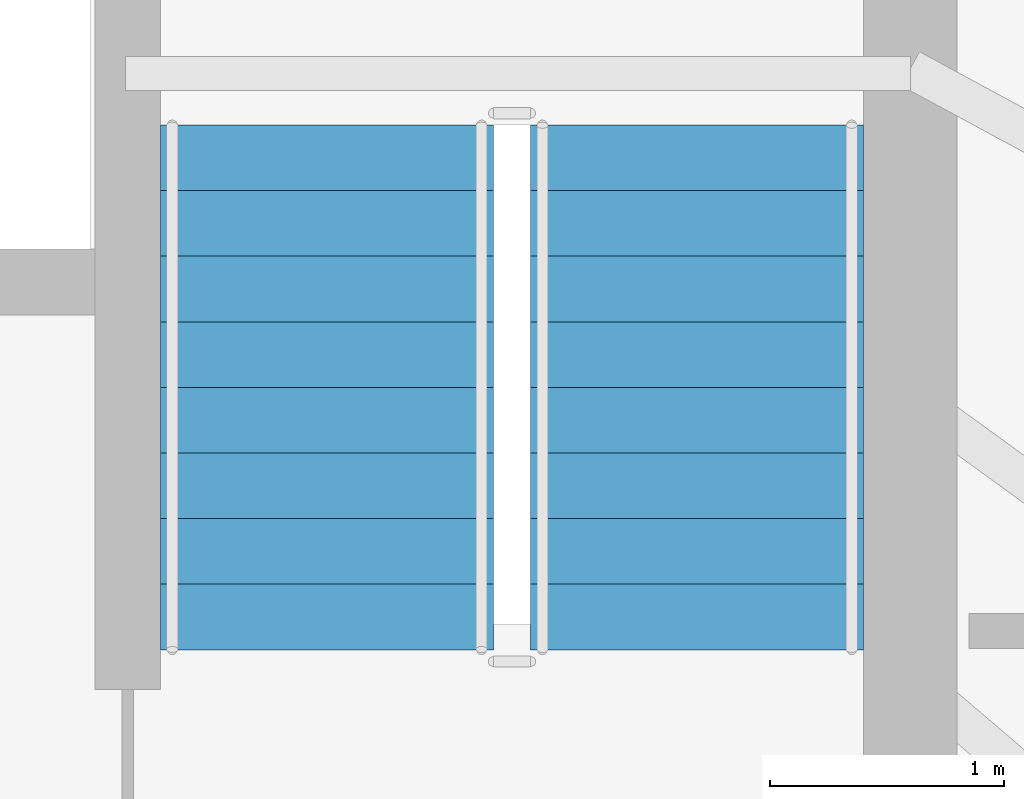
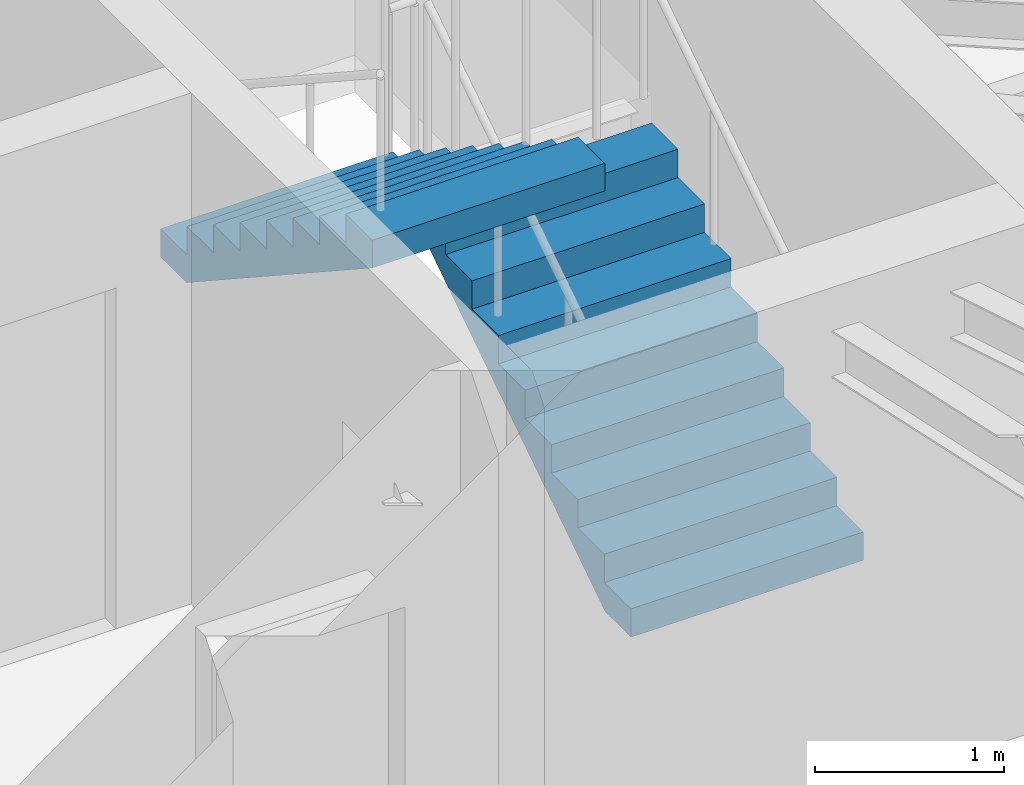
# One storey, part 28 of 31: 2 stair flights, 1 element without a shape of its own.
"""IFC4 building model written with IfcOpenShell, lengths in metres."""

from ifc_helpers import new_model, si_unit, direction, frame, origin, place, context, subcontext, project, spatial, polyline, outline, extrude, material, type_object, element, aggregate, save


model = new_model("IFC4")

# Units and contexts
model_context = context("Model", 3, precision=1e-05, world=origin(), true_north=direction((0.0, 1.0)))
body_context = subcontext(model_context, "Body", "Model", "MODEL_VIEW")
ifc_project = project(units=[si_unit("LENGTHUNIT", "METRE"), si_unit("AREAUNIT", "SQUARE_METRE"), si_unit("VOLUMEUNIT", "CUBIC_METRE"), si_unit("PLANEANGLEUNIT", "RADIAN"), si_unit("MASSUNIT", "GRAM", prefix="KILO")], contexts=[model_context])

# Site, building, storey
site_placement = place(None, origin())
site = spatial("IfcSite", under=ifc_project, at=site_placement, CompositionType="ELEMENT")
building_placement = place(site_placement, origin())
building = spatial("IfcBuilding", under=site, at=building_placement, Name="Orvanel Arch Residences", CompositionType="ELEMENT")
storey_placement = place(building_placement, frame((0.0, 0.0, 183.64990234375)))
storey = spatial("IfcBuildingStorey", under=building, at=storey_placement, Name="L52", CompositionType="ELEMENT", Elevation=183.64990234375)

# Stair, stair flights
ifc_material = material(Name="Precast concrete N50 (50 MPa)", Category="concrete")
stair_type = type_object("IfcStairType", Name="STR-DOG-184", PredefinedType="USERDEFINED", material=ifc_material)
stair_placement = place(storey_placement, origin())
stair = element("IfcStair", 1, at=stair_placement, inside=storey, type_object=stair_type, Name="L52 Fire-Isolated Core Exit Stair 2", ObjectType="TWO_RETURN_STAIR", PredefinedType="USERDEFINED")
stair_flight_type = type_object("IfcStairFlightType", Name="SFL-C2-184", PredefinedType="STRAIGHT", material=ifc_material)
stair_flight_1_placement = place(storey_placement, frame((38.68994140625, 28.320068359375, 0.0), z_axis=(0.0, 0.0, 1.0), x_axis=(0.0, 1.0, 0.0)))
stair_flight_1 = element("IfcStairFlight", 2, at=stair_flight_1_placement, type_object=stair_flight_type, Name="ST-2 flight 1", NumberOfRisers=9, NumberOfTreads=8, PredefinedType="STRAIGHT", RiserHeight=0.183333333, TreadLength=0.28, context=body_context, shape_type="SweptSolid", body=[
    extrude(outline(polyline([(0.0, 0.0), (0.0, 0.183349609375), (0.280029296875, 0.183349609375), (0.280029296875, 0.36669921875), (0.56005859375, 0.36669921875), (0.56005859375, 0.550048828125), (0.840087890625, 0.550048828125), (0.840087890625, 0.7333984375), (1.1201171875, 0.7333984375), (1.1201171875, 0.916748046875), (1.39990234375, 0.916748046875), (1.39990234375, 1.10009765625), (1.679931640625, 1.10009765625), (1.679931640625, 1.283447265625), (1.9599609375, 1.283447265625), (1.9599609375, 1.466552734375), (2.239990234375, 1.466552734375), (2.239990234375, 1.64990234375), (2.239990234375, 1.28759765625), (0.273681640625, 0.0), (0.0, 0.0)])), frame((0.0, 0.7099609375, 0.0), z_axis=(0.0, -1.0, 0.0), x_axis=(1.0, 0.0, 0.0)), (0.0, 0.0, 1.0), 1.419921875),
])
stair_flight_2_placement = place(storey_placement, frame((37.110107421875, 30.56005859375, 1.650146484375), z_axis=(0.0, 0.0, 1.0), x_axis=(0.0, -1.0, 0.0)))
stair_flight_2 = element("IfcStairFlight", 3, at=stair_flight_2_placement, type_object=stair_flight_type, Name="ST-2 flight 2", NumberOfRisers=9, NumberOfTreads=8, PredefinedType="STRAIGHT", RiserHeight=0.183333333, TreadLength=0.28, context=body_context, shape_type="SweptSolid", body=[
    extrude(outline(polyline([(0.0, 0.0), (0.0, 0.183349609375), (0.280029296875, 0.183349609375), (0.280029296875, 0.36669921875), (0.56005859375, 0.36669921875), (0.56005859375, 0.550048828125), (0.840087890625, 0.550048828125), (0.840087890625, 0.7333984375), (1.1201171875, 0.7333984375), (1.1201171875, 0.916748046875), (1.39990234375, 0.916748046875), (1.39990234375, 1.10009765625), (1.679931640625, 1.10009765625), (1.679931640625, 1.283447265625), (1.9599609375, 1.283447265625), (1.9599609375, 1.466552734375), (2.239990234375, 1.466552734375), (2.239990234375, 1.64990234375), (2.239990234375, 1.28759765625), (0.273681640625, 0.0), (0.0, 0.0)])), frame((0.0, 0.7099609375, 0.0), z_axis=(0.0, -1.0, 0.0), x_axis=(1.0, 0.0, 0.0)), (0.0, 0.0, 1.0), 1.419921875),
])
aggregate(stair, [stair_flight_1, stair_flight_2])

save(model, "model.ifc")
